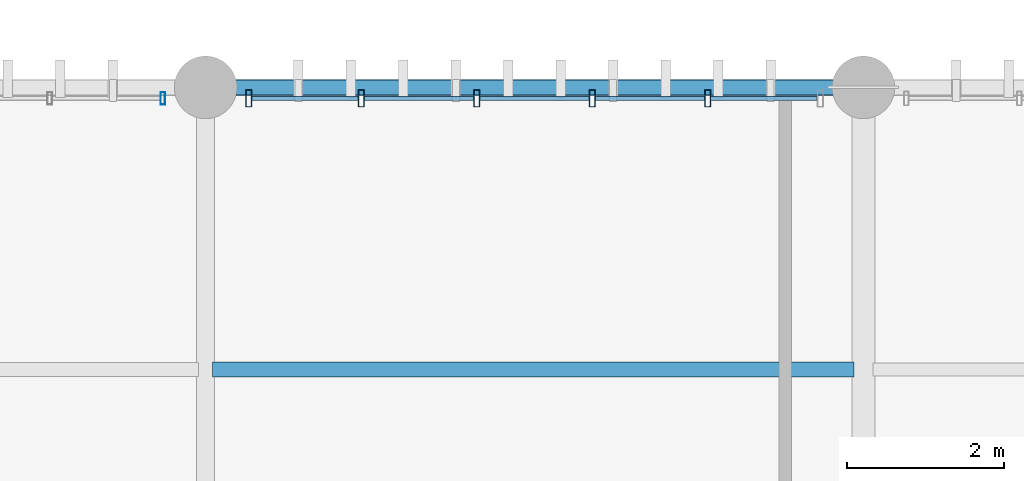
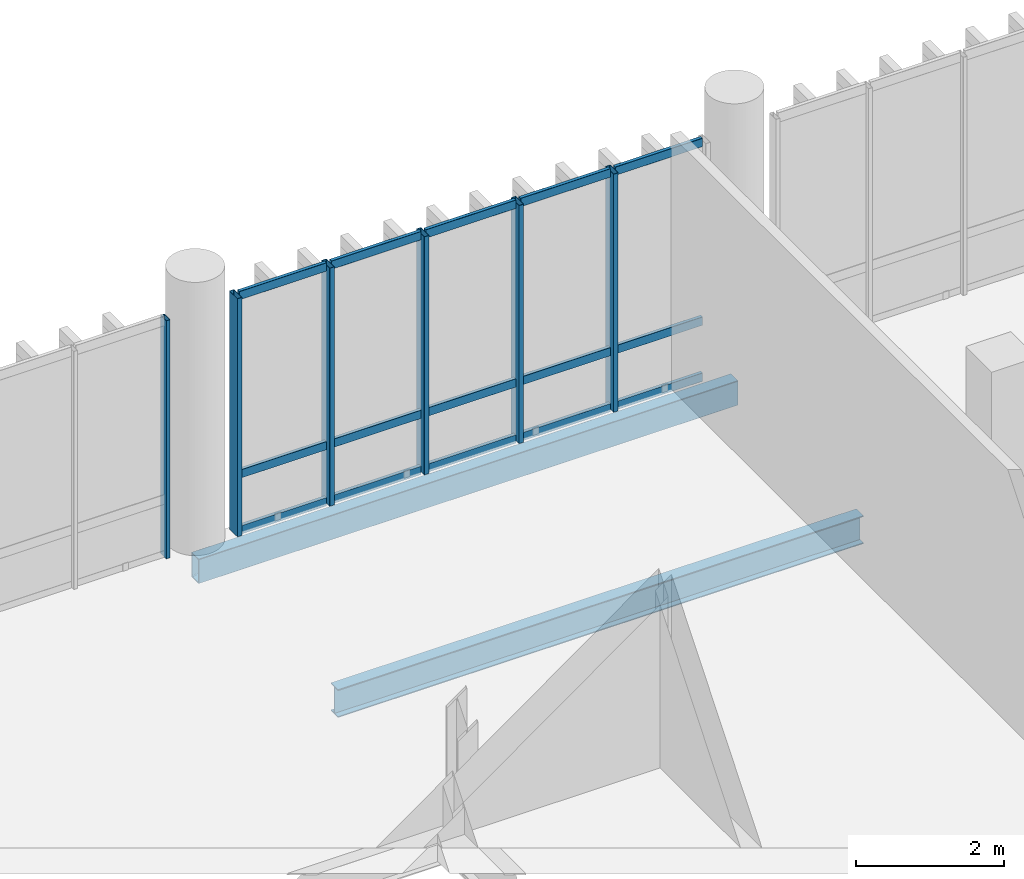
# One storey, part 25 of 68: 21 members, 2 beams, 2 elements without a shape of their own.
"""IFC4 building model written with IfcOpenShell, lengths in metres."""

from ifc_helpers import new_model, si_unit, direction, frame, origin_with_axes, origin_2d_with_axis, place, context, subcontext, project, spatial, hollow_rectangle, i_section, extrude, material, material_profile, profile_set, type_object, element, aggregate, save


model = new_model("IFC4")

# Units and contexts
model_context = context("Model", 3, precision=1e-05, world=origin_with_axes(), true_north=direction((0.0, 1.0)))
body_context = subcontext(model_context, "Body", "Model", "MODEL_VIEW")
ifc_project = project(units=[si_unit("LENGTHUNIT", "METRE"), si_unit("AREAUNIT", "SQUARE_METRE"), si_unit("VOLUMEUNIT", "CUBIC_METRE"), si_unit("PLANEANGLEUNIT", "RADIAN"), si_unit("MASSUNIT", "GRAM", prefix="KILO"), si_unit("THERMODYNAMICTEMPERATUREUNIT", "KELVIN")], contexts=[model_context])

# Site, building, storey
site_placement = place(None, origin_with_axes())
site = spatial("IfcSite", under=ifc_project, at=site_placement, CompositionType="ELEMENT")
building_placement = place(site_placement, origin_with_axes())
building = spatial("IfcBuilding", under=site, at=building_placement, Name="Montbau Bow Law Courts", CompositionType="ELEMENT")
storey_placement = place(building_placement, frame((0.0, 0.0, 20.4), z_axis=(0.0, 0.0, 1.0), x_axis=(1.0, 0.0, 0.0)))
storey = spatial("IfcBuildingStorey", under=building, at=storey_placement, Name="L04", CompositionType="ELEMENT", Elevation=20.4)

# Beams
ifc_material_1 = material(Name="Steel CSA G40.21 Grade 350W (350 MPa)", Category="steel")
ifc_material_profile_1 = material_profile(ifc_material_1, i_section(OverallWidth=0.191, OverallDepth=0.46, WebThickness=0.0099, FlangeThickness=0.016, at=origin_2d_with_axis()), Name="W460X82", Category="Main", Priority=0)
ifc_profile_set_1 = profile_set([ifc_material_profile_1], Name="Steel CSA G40.21 Grade 350W (350 MPa)")
beam_type_1 = type_object("IfcBeamType", Name="B-JST-01", PredefinedType="JOIST", material=ifc_profile_set_1)
beam_1_placement = place(None, frame((63.691, 58.2, 19.89), z_axis=(1.0, 0.0, 0.0), x_axis=(0.0, 1.0, 0.0)))
element("IfcBeam", 1, at=beam_1_placement, inside=storey, type_object=beam_type_1, Name="JST-L04-S0484:jst2_0484", PredefinedType="JOIST", context=body_context, shape_type="SweptSolid", body=[
    extrude(i_section(OverallWidth=0.191, OverallDepth=0.46, WebThickness=0.0099, FlangeThickness=0.016, at=origin_2d_with_axis()), origin_with_axes(), (0.0, 0.0, 1.0), 8.186),
])
ifc_material_2 = material(Name="Steel CSA G40.21 Grade 350WT (350 MPa)", Category="steel")
ifc_material_profile_2 = material_profile(ifc_material_2, hollow_rectangle(XDim=0.203, YDim=0.406, WallThickness=0.0127, InnerFilletRadius=0.0254, OuterFilletRadius=0.0127, at=origin_2d_with_axis()), Name="HSS406X203X13", Category="Main", Priority=0)
ifc_profile_set_2 = profile_set([ifc_material_profile_2], Name="Steel CSA G40.21 Grade 350WT (350 MPa)")
beam_type_2 = type_object("IfcBeamType", Name="B-SPN-01", PredefinedType="SPANDREL", material=ifc_profile_set_2)
beam_2_placement = place(None, frame((63.6, 61.8, 19.917), z_axis=(1.0, 0.0, 0.0), x_axis=(0.0, 1.0, 0.0)))
element("IfcBeam", 2, at=beam_2_placement, inside=storey, type_object=beam_type_2, Name="SPN-L04-S0935:bm2_0938", PredefinedType="SPANDREL", context=body_context, shape_type="SweptSolid", body=[
    extrude(hollow_rectangle(XDim=0.203, YDim=0.406, WallThickness=0.0127, InnerFilletRadius=0.0254, OuterFilletRadius=0.0127, at=origin_2d_with_axis()), origin_with_axes(), (0.0, 0.0, 1.0), 8.4),
])

# Curtain wall, members
ifc_material_3 = material(Name="Thermally Broken Extruded Aluminium AA 6063-T6", Category="aluminium")
curtain_wall_type = type_object("IfcCurtainWallType", Name="CW-CRM-01", PredefinedType="NOTDEFINED", material=ifc_material_3)
curtain_wall_1_placement = place(None, frame((64.115, 61.66, 20.4), z_axis=(0.0, 0.0, 1.0), x_axis=(1.0, 0.0, 0.0)))
curtain_wall_1 = element("IfcCurtainWall", 3, at=curtain_wall_1_placement, inside=storey, type_object=curtain_wall_type, Name="CW-L04-201:cw_0201", PredefinedType="NOTDEFINED")
ifc_material_profile_3 = material_profile(ifc_material_3, hollow_rectangle(XDim=0.075, YDim=0.22, WallThickness=0.005, InnerFilletRadius=0.01, OuterFilletRadius=0.005, at=origin_2d_with_axis()), Name="CWM-220X75", Category="Main", Priority=0)
ifc_profile_set_3 = profile_set([ifc_material_profile_3], Name="Thermally Broken Extruded Aluminium AA 6063-T6")
member_type_1 = type_object("IfcMemberType", Name="M-MUL-01", PredefinedType="MULLION", material=ifc_profile_set_3)
member_1_placement = place(None, frame((64.152, 61.66, 20.4), z_axis=(0.0, 0.0, 1.0), x_axis=(1.0, 0.0, 0.0)))
member_1 = element("IfcMember", 4, at=member_1_placement, type_object=member_type_1, Name="CW-L04-201-M01:cw_0201_M01", PredefinedType="MULLION", context=body_context, shape_type="SweptSolid", body=[
    extrude(hollow_rectangle(XDim=0.075, YDim=0.22, WallThickness=0.005, InnerFilletRadius=0.01, OuterFilletRadius=0.005, at=origin_2d_with_axis()), origin_with_axes(), (0.0, 0.0, 1.0), 3.92),
])
member_2_placement = place(None, frame((65.589, 61.66, 20.4), z_axis=(0.0, 0.0, 1.0), x_axis=(1.0, 0.0, 0.0)))
member_2 = element("IfcMember", 5, at=member_2_placement, type_object=member_type_1, Name="CW-L04-201-M02:cw_0201_M02", PredefinedType="MULLION", context=body_context, shape_type="SweptSolid", body=[
    extrude(hollow_rectangle(XDim=0.075, YDim=0.22, WallThickness=0.005, InnerFilletRadius=0.01, OuterFilletRadius=0.005, at=origin_2d_with_axis()), origin_with_axes(), (0.0, 0.0, 1.0), 3.92),
])
member_3_placement = place(None, frame((67.063, 61.66, 20.4), z_axis=(0.0, 0.0, 1.0), x_axis=(1.0, 0.0, 0.0)))
member_3 = element("IfcMember", 6, at=member_3_placement, type_object=member_type_1, Name="CW-L04-201-M03:cw_0201_M03", PredefinedType="MULLION", context=body_context, shape_type="SweptSolid", body=[
    extrude(hollow_rectangle(XDim=0.075, YDim=0.22, WallThickness=0.005, InnerFilletRadius=0.01, OuterFilletRadius=0.005, at=origin_2d_with_axis()), origin_with_axes(), (0.0, 0.0, 1.0), 3.92),
])
member_4_placement = place(None, frame((68.537, 61.66, 20.4), z_axis=(0.0, 0.0, 1.0), x_axis=(1.0, 0.0, 0.0)))
member_4 = element("IfcMember", 7, at=member_4_placement, type_object=member_type_1, Name="CW-L04-201-M04:cw_0201_M04", PredefinedType="MULLION", context=body_context, shape_type="SweptSolid", body=[
    extrude(hollow_rectangle(XDim=0.075, YDim=0.22, WallThickness=0.005, InnerFilletRadius=0.01, OuterFilletRadius=0.005, at=origin_2d_with_axis()), origin_with_axes(), (0.0, 0.0, 1.0), 3.92),
])
member_5_placement = place(None, frame((70.011, 61.66, 20.4), z_axis=(0.0, 0.0, 1.0), x_axis=(1.0, 0.0, 0.0)))
member_5 = element("IfcMember", 8, at=member_5_placement, type_object=member_type_1, Name="CW-L04-201-M05:cw_0201_M05", PredefinedType="MULLION", context=body_context, shape_type="SweptSolid", body=[
    extrude(hollow_rectangle(XDim=0.075, YDim=0.22, WallThickness=0.005, InnerFilletRadius=0.01, OuterFilletRadius=0.005, at=origin_2d_with_axis()), origin_with_axes(), (0.0, 0.0, 1.0), 3.92),
])

# Curtain wall, member
curtain_wall_2_placement = place(None, frame((55.715, 61.66, 20.4), z_axis=(0.0, 0.0, 1.0), x_axis=(1.0, 0.0, 0.0)))
curtain_wall_2 = element("IfcCurtainWall", 9, at=curtain_wall_2_placement, inside=storey, type_object=curtain_wall_type, Name="CW-L04-200:cw_0200", PredefinedType="NOTDEFINED")
ifc_material_profile_4 = material_profile(ifc_material_3, hollow_rectangle(XDim=0.06, YDim=0.16, WallThickness=0.004, InnerFilletRadius=0.008, OuterFilletRadius=0.004, at=origin_2d_with_axis()), Name="CWM-160X60", Category="Main", Priority=0)
ifc_profile_set_4 = profile_set([ifc_material_profile_4], Name="Thermally Broken Extruded Aluminium AA 6063-T6")
member_type_2 = type_object("IfcMemberType", Name="M-MUL-03", PredefinedType="MULLION", material=ifc_profile_set_4)
member_6_placement = place(None, frame((63.055, 61.66, 20.4), z_axis=(0.0, 0.0, 1.0), x_axis=(1.0, 0.0, 0.0)))
member_6 = element("IfcMember", 10, at=member_6_placement, type_object=member_type_2, Name="CW-L04-200-M06:cw_0200_M06", PredefinedType="MULLION", context=body_context, shape_type="SweptSolid", body=[
    extrude(hollow_rectangle(XDim=0.06, YDim=0.16, WallThickness=0.004, InnerFilletRadius=0.008, OuterFilletRadius=0.004, at=origin_2d_with_axis()), origin_with_axes(), (0.0, 0.0, 1.0), 3.92),
])
aggregate(curtain_wall_2, [member_6])

# Member
ifc_material_profile_5 = material_profile(ifc_material_3, hollow_rectangle(XDim=0.055, YDim=0.14, WallThickness=0.004, InnerFilletRadius=0.008, OuterFilletRadius=0.004, at=origin_2d_with_axis()), Name="CWT-140X55", Category="Main", Priority=0)
ifc_profile_set_5 = profile_set([ifc_material_profile_5], Name="Thermally Broken Extruded Aluminium AA 6063-T6")
member_type_3 = type_object("IfcMemberType", Name="M-TRN-02", PredefinedType="USERDEFINED", material=ifc_profile_set_5)
member_7_placement = place(None, frame((64.191, 61.66, 20.427), z_axis=(1.0, 0.0, 0.0), x_axis=(0.0, 1.0, 0.0)))
member_7 = element("IfcMember", 11, at=member_7_placement, type_object=member_type_3, Name="CW-L04-201-T01-1:cw_0201_T01_1", ObjectType="TRANSOM", PredefinedType="USERDEFINED", context=body_context, shape_type="SweptSolid", body=[
    extrude(hollow_rectangle(XDim=0.055, YDim=0.14, WallThickness=0.004, InnerFilletRadius=0.008, OuterFilletRadius=0.004, at=origin_2d_with_axis()), origin_with_axes(), (0.0, 0.0, 1.0), 1.358),
])

member_8_placement = place(None, frame((64.191, 61.66, 21.35), z_axis=(1.0, 0.0, 0.0), x_axis=(0.0, 1.0, 0.0)))
member_8 = element("IfcMember", 12, at=member_8_placement, type_object=member_type_3, Name="CW-L04-201-T01-2:cw_0201_T01_2", ObjectType="TRANSOM", PredefinedType="USERDEFINED", context=body_context, shape_type="SweptSolid", body=[
    extrude(hollow_rectangle(XDim=0.055, YDim=0.14, WallThickness=0.004, InnerFilletRadius=0.008, OuterFilletRadius=0.004, at=origin_2d_with_axis()), origin_with_axes(), (0.0, 0.0, 1.0), 1.358),
])

member_9_placement = place(None, frame((64.191, 61.66, 24.293), z_axis=(1.0, 0.0, 0.0), x_axis=(0.0, 1.0, 0.0)))
member_9 = element("IfcMember", 13, at=member_9_placement, type_object=member_type_3, Name="CW-L04-201-T01-3:cw_0201_T01_3", ObjectType="TRANSOM", PredefinedType="USERDEFINED", context=body_context, shape_type="SweptSolid", body=[
    extrude(hollow_rectangle(XDim=0.055, YDim=0.14, WallThickness=0.004, InnerFilletRadius=0.008, OuterFilletRadius=0.004, at=origin_2d_with_axis()), origin_with_axes(), (0.0, 0.0, 1.0), 1.358),
])

member_10_placement = place(None, frame((65.629, 61.66, 20.427), z_axis=(1.0, 0.0, 0.0), x_axis=(0.0, 1.0, 0.0)))
member_10 = element("IfcMember", 14, at=member_10_placement, type_object=member_type_3, Name="CW-L04-201-T02-1:cw_0201_T02_1", ObjectType="TRANSOM", PredefinedType="USERDEFINED", context=body_context, shape_type="SweptSolid", body=[
    extrude(hollow_rectangle(XDim=0.055, YDim=0.14, WallThickness=0.004, InnerFilletRadius=0.008, OuterFilletRadius=0.004, at=origin_2d_with_axis()), origin_with_axes(), (0.0, 0.0, 1.0), 1.395),
])

member_11_placement = place(None, frame((65.629, 61.66, 21.35), z_axis=(1.0, 0.0, 0.0), x_axis=(0.0, 1.0, 0.0)))
member_11 = element("IfcMember", 15, at=member_11_placement, type_object=member_type_3, Name="CW-L04-201-T02-2:cw_0201_T02_2", ObjectType="TRANSOM", PredefinedType="USERDEFINED", context=body_context, shape_type="SweptSolid", body=[
    extrude(hollow_rectangle(XDim=0.055, YDim=0.14, WallThickness=0.004, InnerFilletRadius=0.008, OuterFilletRadius=0.004, at=origin_2d_with_axis()), origin_with_axes(), (0.0, 0.0, 1.0), 1.395),
])

member_12_placement = place(None, frame((65.629, 61.66, 24.293), z_axis=(1.0, 0.0, 0.0), x_axis=(0.0, 1.0, 0.0)))
member_12 = element("IfcMember", 16, at=member_12_placement, type_object=member_type_3, Name="CW-L04-201-T02-3:cw_0201_T02_3", ObjectType="TRANSOM", PredefinedType="USERDEFINED", context=body_context, shape_type="SweptSolid", body=[
    extrude(hollow_rectangle(XDim=0.055, YDim=0.14, WallThickness=0.004, InnerFilletRadius=0.008, OuterFilletRadius=0.004, at=origin_2d_with_axis()), origin_with_axes(), (0.0, 0.0, 1.0), 1.395),
])

member_13_placement = place(None, frame((67.102, 61.66, 20.427), z_axis=(1.0, 0.0, 0.0), x_axis=(0.0, 1.0, 0.0)))
member_13 = element("IfcMember", 17, at=member_13_placement, type_object=member_type_3, Name="CW-L04-201-T03-1:cw_0201_T03_1", ObjectType="TRANSOM", PredefinedType="USERDEFINED", context=body_context, shape_type="SweptSolid", body=[
    extrude(hollow_rectangle(XDim=0.055, YDim=0.14, WallThickness=0.004, InnerFilletRadius=0.008, OuterFilletRadius=0.004, at=origin_2d_with_axis()), origin_with_axes(), (0.0, 0.0, 1.0), 1.396),
])

member_14_placement = place(None, frame((67.102, 61.66, 21.35), z_axis=(1.0, 0.0, 0.0), x_axis=(0.0, 1.0, 0.0)))
member_14 = element("IfcMember", 18, at=member_14_placement, type_object=member_type_3, Name="CW-L04-201-T03-2:cw_0201_T03_2", ObjectType="TRANSOM", PredefinedType="USERDEFINED", context=body_context, shape_type="SweptSolid", body=[
    extrude(hollow_rectangle(XDim=0.055, YDim=0.14, WallThickness=0.004, InnerFilletRadius=0.008, OuterFilletRadius=0.004, at=origin_2d_with_axis()), origin_with_axes(), (0.0, 0.0, 1.0), 1.396),
])

member_15_placement = place(None, frame((67.102, 61.66, 24.293), z_axis=(1.0, 0.0, 0.0), x_axis=(0.0, 1.0, 0.0)))
member_15 = element("IfcMember", 19, at=member_15_placement, type_object=member_type_3, Name="CW-L04-201-T03-3:cw_0201_T03_3", ObjectType="TRANSOM", PredefinedType="USERDEFINED", context=body_context, shape_type="SweptSolid", body=[
    extrude(hollow_rectangle(XDim=0.055, YDim=0.14, WallThickness=0.004, InnerFilletRadius=0.008, OuterFilletRadius=0.004, at=origin_2d_with_axis()), origin_with_axes(), (0.0, 0.0, 1.0), 1.396),
])

member_16_placement = place(None, frame((68.576, 61.66, 20.427), z_axis=(1.0, 0.0, 0.0), x_axis=(0.0, 1.0, 0.0)))
member_16 = element("IfcMember", 20, at=member_16_placement, type_object=member_type_3, Name="CW-L04-201-T04-1:cw_0201_T04_1", ObjectType="TRANSOM", PredefinedType="USERDEFINED", context=body_context, shape_type="SweptSolid", body=[
    extrude(hollow_rectangle(XDim=0.055, YDim=0.14, WallThickness=0.004, InnerFilletRadius=0.008, OuterFilletRadius=0.004, at=origin_2d_with_axis()), origin_with_axes(), (0.0, 0.0, 1.0), 1.396),
])

member_17_placement = place(None, frame((68.576, 61.66, 21.35), z_axis=(1.0, 0.0, 0.0), x_axis=(0.0, 1.0, 0.0)))
member_17 = element("IfcMember", 21, at=member_17_placement, type_object=member_type_3, Name="CW-L04-201-T04-2:cw_0201_T04_2", ObjectType="TRANSOM", PredefinedType="USERDEFINED", context=body_context, shape_type="SweptSolid", body=[
    extrude(hollow_rectangle(XDim=0.055, YDim=0.14, WallThickness=0.004, InnerFilletRadius=0.008, OuterFilletRadius=0.004, at=origin_2d_with_axis()), origin_with_axes(), (0.0, 0.0, 1.0), 1.396),
])

member_18_placement = place(None, frame((68.576, 61.66, 24.293), z_axis=(1.0, 0.0, 0.0), x_axis=(0.0, 1.0, 0.0)))
member_18 = element("IfcMember", 22, at=member_18_placement, type_object=member_type_3, Name="CW-L04-201-T04-3:cw_0201_T04_3", ObjectType="TRANSOM", PredefinedType="USERDEFINED", context=body_context, shape_type="SweptSolid", body=[
    extrude(hollow_rectangle(XDim=0.055, YDim=0.14, WallThickness=0.004, InnerFilletRadius=0.008, OuterFilletRadius=0.004, at=origin_2d_with_axis()), origin_with_axes(), (0.0, 0.0, 1.0), 1.396),
])

member_19_placement = place(None, frame((70.05, 61.66, 20.427), z_axis=(1.0, 0.0, 0.0), x_axis=(0.0, 1.0, 0.0)))
member_19 = element("IfcMember", 23, at=member_19_placement, type_object=member_type_3, Name="CW-L04-201-T05-1:cw_0201_T05_1", ObjectType="TRANSOM", PredefinedType="USERDEFINED", context=body_context, shape_type="SweptSolid", body=[
    extrude(hollow_rectangle(XDim=0.055, YDim=0.14, WallThickness=0.004, InnerFilletRadius=0.008, OuterFilletRadius=0.004, at=origin_2d_with_axis()), origin_with_axes(), (0.0, 0.0, 1.0), 1.359),
])

member_20_placement = place(None, frame((70.05, 61.66, 21.35), z_axis=(1.0, 0.0, 0.0), x_axis=(0.0, 1.0, 0.0)))
member_20 = element("IfcMember", 24, at=member_20_placement, type_object=member_type_3, Name="CW-L04-201-T05-2:cw_0201_T05_2", ObjectType="TRANSOM", PredefinedType="USERDEFINED", context=body_context, shape_type="SweptSolid", body=[
    extrude(hollow_rectangle(XDim=0.055, YDim=0.14, WallThickness=0.004, InnerFilletRadius=0.008, OuterFilletRadius=0.004, at=origin_2d_with_axis()), origin_with_axes(), (0.0, 0.0, 1.0), 1.359),
])

member_21_placement = place(None, frame((70.05, 61.66, 24.293), z_axis=(1.0, 0.0, 0.0), x_axis=(0.0, 1.0, 0.0)))
member_21 = element("IfcMember", 25, at=member_21_placement, type_object=member_type_3, Name="CW-L04-201-T05-3:cw_0201_T05_3", ObjectType="TRANSOM", PredefinedType="USERDEFINED", context=body_context, shape_type="SweptSolid", body=[
    extrude(hollow_rectangle(XDim=0.055, YDim=0.14, WallThickness=0.004, InnerFilletRadius=0.008, OuterFilletRadius=0.004, at=origin_2d_with_axis()), origin_with_axes(), (0.0, 0.0, 1.0), 1.359),
])

aggregate(curtain_wall_1, [member_1, member_2, member_3, member_4, member_5, member_7, member_8, member_9, member_10, member_11, member_12, member_13, member_14, member_15, member_16, member_17, member_18, member_19, member_20, member_21])

save(model, "model.ifc")
